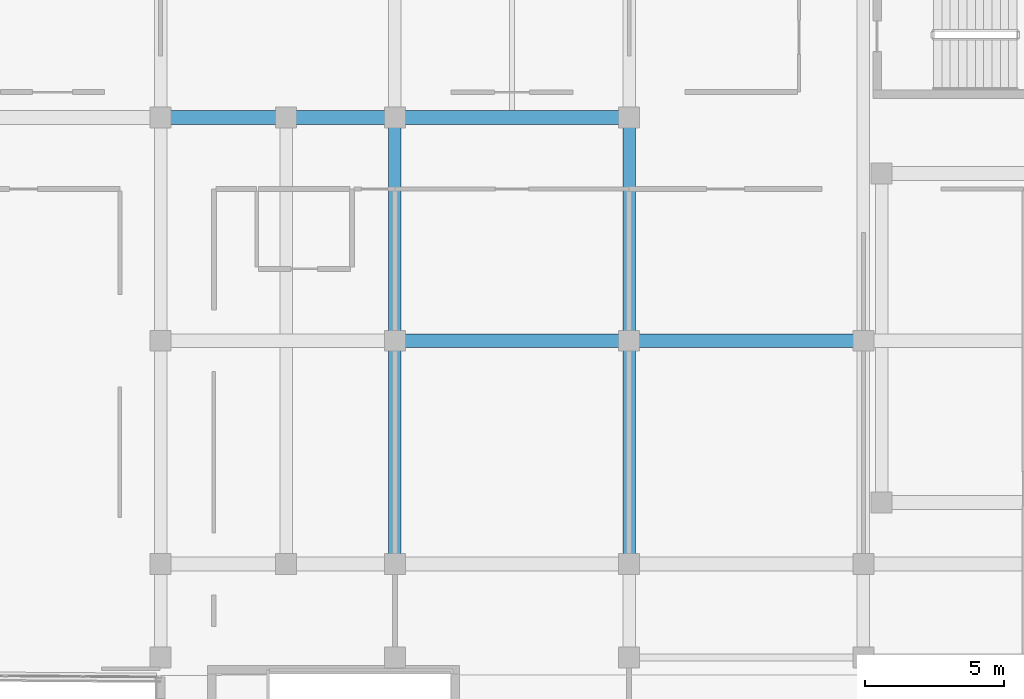
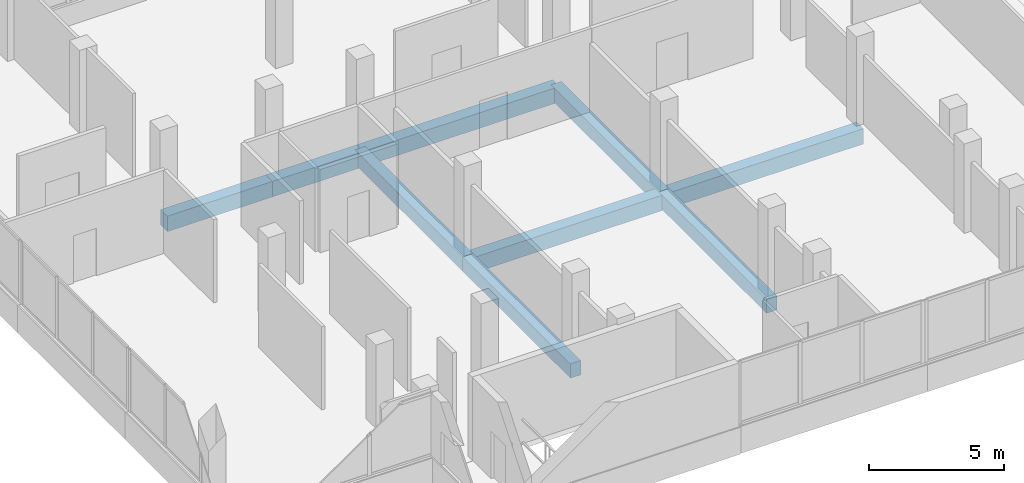
# One storey, part 28 of 101: 9 beams.
"""IFC4 building model written with IfcOpenShell, lengths in metres."""

from ifc_helpers import new_model, si_unit, direction, frame, origin, origin_2d, place, context, subcontext, project, spatial, rectangle, extrude, material, material_profile, profile_set, type_object, element, save


model = new_model("IFC4")

# Units and contexts
model_context = context("Model", 3, precision=1e-05, world=origin(), true_north=direction((0.0, 1.0)))
body_context = subcontext(model_context, "Body", "Model", "MODEL_VIEW")
ifc_project = project(units=[si_unit("LENGTHUNIT", "METRE"), si_unit("AREAUNIT", "SQUARE_METRE"), si_unit("VOLUMEUNIT", "CUBIC_METRE"), si_unit("PLANEANGLEUNIT", "RADIAN"), si_unit("MASSUNIT", "GRAM", prefix="KILO")], contexts=[model_context])

# Site, building, storey
site_placement = place(None, origin())
site = spatial("IfcSite", under=ifc_project, at=site_placement, CompositionType="ELEMENT")
building_placement = place(site_placement, origin())
building = spatial("IfcBuilding", under=site, at=building_placement, Name="Selatvlak General Hospital", CompositionType="ELEMENT")
storey_placement = place(building_placement, frame((0.0, 0.0, 19.199951171875)))
storey = spatial("IfcBuildingStorey", under=building, at=storey_placement, Name="L04", CompositionType="ELEMENT", Elevation=19.199951171875)

# Beams
ifc_material = material(Name="Concrete C40/50", Category="concrete")
ifc_material_profile_1 = material_profile(ifc_material, rectangle(XDim=0.5, YDim=0.699951171875, at=origin_2d()), Name="RC-BM 500x700")
ifc_profile_set_1 = profile_set([ifc_material_profile_1], Name="Concrete C40/50")
beam_type_1 = type_object("IfcBeamType", Name="BM-G03", PredefinedType="BEAM", material=ifc_profile_set_1)
beam_1_placement = place(storey_placement, frame((31.199951171875, 100.0, -0.655029296875), z_axis=(1.0, 0.0, 0.0), x_axis=(0.0, 1.0, 0.0)))
element("IfcBeam", 1, at=beam_1_placement, inside=storey, type_object=beam_type_1, Name="Beam BMR-L04-1579", PredefinedType="BEAM", context=body_context, shape_type="SweptSolid", body=[
    extrude(rectangle(XDim=0.5, YDim=0.699951171875, at=origin_2d()), origin(), (0.0, 0.0, 1.0), 8.400146484375),
])
beam_2_placement = place(storey_placement, frame((39.60009765625, 100.0, -0.655029296875), z_axis=(1.0, 0.0, 0.0), x_axis=(0.0, 1.0, 0.0)))
element("IfcBeam", 2, at=beam_2_placement, inside=storey, type_object=beam_type_1, Name="Beam BMR-L04-1580", PredefinedType="BEAM", context=body_context, shape_type="SweptSolid", body=[
    extrude(rectangle(XDim=0.5, YDim=0.699951171875, at=origin_2d()), origin(), (0.0, 0.0, 1.0), 8.39990234375),
])
beam_3_placement = place(storey_placement, frame((22.800048828125, 108.0, -0.655029296875), z_axis=(1.0, 0.0, 0.0), x_axis=(0.0, 1.0, 0.0)))
element("IfcBeam", 3, at=beam_3_placement, inside=storey, type_object=beam_type_1, Name="Beam BMR-L04-1601", PredefinedType="BEAM", context=body_context, shape_type="SweptSolid", body=[
    extrude(rectangle(XDim=0.5, YDim=0.699951171875, at=origin_2d()), origin(), (0.0, 0.0, 1.0), 4.5),
])
beam_4_placement = place(storey_placement, frame((27.300048828125, 108.0, -0.655029296875), z_axis=(1.0, 0.0, 0.0), x_axis=(0.0, 1.0, 0.0)))
element("IfcBeam", 4, at=beam_4_placement, inside=storey, type_object=beam_type_1, Name="Beam BMR-L04-1602", PredefinedType="BEAM", context=body_context, shape_type="SweptSolid", body=[
    extrude(rectangle(XDim=0.5, YDim=0.699951171875, at=origin_2d()), origin(), (0.0, 0.0, 1.0), 3.89990234375),
])
beam_5_placement = place(storey_placement, frame((31.199951171875, 108.0, -0.655029296875), z_axis=(1.0, 0.0, 0.0), x_axis=(0.0, 1.0, 0.0)))
element("IfcBeam", 5, at=beam_5_placement, inside=storey, type_object=beam_type_1, Name="Beam BMR-L04-1603", PredefinedType="BEAM", context=body_context, shape_type="SweptSolid", body=[
    extrude(rectangle(XDim=0.5, YDim=0.699951171875, at=origin_2d()), origin(), (0.0, 0.0, 1.0), 8.400146484375),
])
ifc_material_profile_2 = material_profile(ifc_material, rectangle(XDim=0.449951171875, YDim=0.64990234375, at=origin_2d()), Name="RC-BM 450x650")
ifc_profile_set_2 = profile_set([ifc_material_profile_2], Name="Concrete C40/50")
beam_type_2 = type_object("IfcBeamType", Name="BM-G04", PredefinedType="BEAM", material=ifc_profile_set_2)
for number, where, z_axis, x_axis, name in (
    (6, (31.199951171875, 92.0, -0.6298828125), (0.0, 1.0, 0.0), (-1.0, 0.0, 0.0), "Beam BMR-L04-1649"),
    (7, (31.199951171875, 100.0, -0.6298828125), (0.0, 1.0, 0.0), (-1.0, 0.0, 0.0), "Beam BMR-L04-1650"),
    (8, (39.60009765625, 92.0, -0.6298828125), (0.0, 1.0, 0.0), (-1.0, 0.0, 0.0), "Beam BMR-L04-1654"),
    (9, (39.60009765625, 100.0, -0.6298828125), (0.0, 1.0, 0.0), (-1.0, 0.0, 0.0), "Beam BMR-L04-1655"),
):
    element("IfcBeam", number, at=place(storey_placement, frame(where, z_axis=z_axis, x_axis=x_axis)), inside=storey, type_object=beam_type_2, Name=name, PredefinedType="BEAM", context=body_context, shape_type="SweptSolid", body=[
        extrude(rectangle(XDim=0.449951171875, YDim=0.64990234375, at=origin_2d()), origin(), (0.0, 0.0, 1.0), 8.0),
    ])

save(model, "model.ifc")
